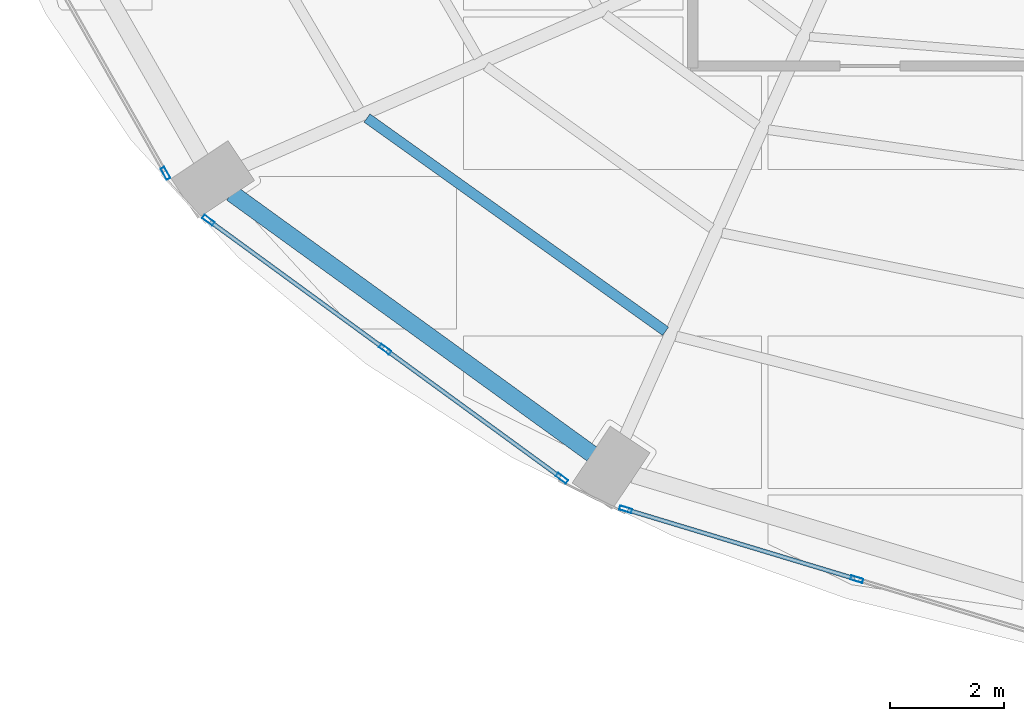
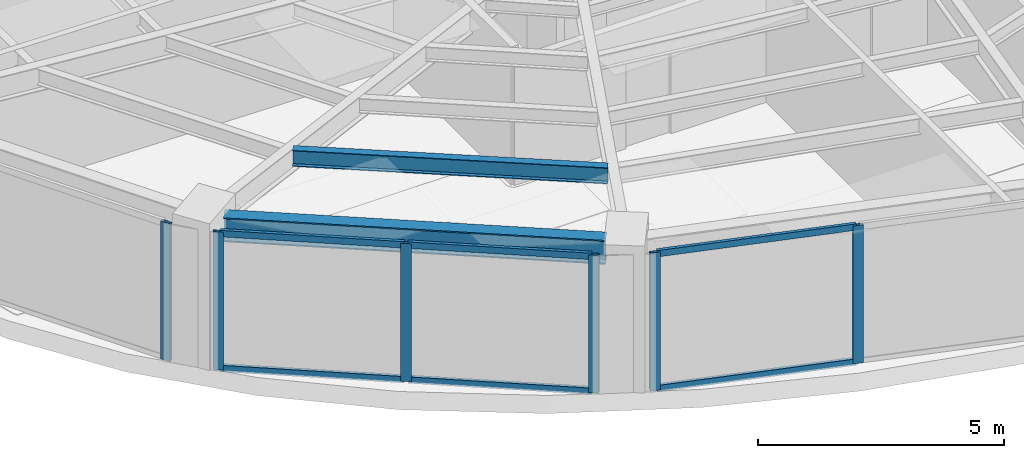
# One storey, part 2 of 23: 12 members, 2 beams, 3 elements without a shape of their own.
"""IFC4 building model written with IfcOpenShell, lengths in metres."""

from ifc_helpers import new_model, si_unit, direction, frame, origin, origin_2d, place, context, subcontext, project, spatial, hollow_rectangle, i_section, extrude, material, layer, layer_set, material_profile, profile_set, type_object, element, aggregate, save


model = new_model("IFC4")

# Units and contexts
model_context = context("Model", 3, precision=1e-05, world=origin(), true_north=direction((0.0, 1.0)))
body_context = subcontext(model_context, "Body", "Model", "MODEL_VIEW")
ifc_project = project(units=[si_unit("LENGTHUNIT", "METRE"), si_unit("AREAUNIT", "SQUARE_METRE"), si_unit("VOLUMEUNIT", "CUBIC_METRE"), si_unit("PLANEANGLEUNIT", "RADIAN"), si_unit("MASSUNIT", "GRAM", prefix="KILO")], contexts=[model_context])

# Site, building, storey
site_placement = place(None, origin())
site = spatial("IfcSite", under=ifc_project, at=site_placement, CompositionType="ELEMENT")
building_placement = place(site_placement, origin())
building = spatial("IfcBuilding", under=site, at=building_placement, Name="Lazwardi Medical Tower", CompositionType="ELEMENT")
storey_placement = place(building_placement, frame((0.0, 0.0, 81.743896484375)))
storey = spatial("IfcBuildingStorey", under=building, at=storey_placement, Name="L20", CompositionType="ELEMENT", Elevation=81.743896484375)

# Beams
ifc_material_1 = material(Name="Steel S355", Category="steel")
ifc_material_profile_1 = material_profile(ifc_material_1, i_section(OverallWidth=0.300048828125, OverallDepth=0.60009765625, WebThickness=0.015380859375, FlangeThickness=0.030029296875, at=origin_2d()), Name="HEB 600")
ifc_profile_set_1 = profile_set([ifc_material_profile_1], Name="Steel S355")
beam_type_1 = type_object("IfcBeamType", Name="BM-RB-Z2", PredefinedType="BEAM", material=ifc_profile_set_1)
beam_1_placement = place(storey_placement, frame((15.25439453125, 15.164794921875, 3.128173828125), z_axis=(0.81005674773, -0.586351486275, 0.0), x_axis=(0.586351486275, 0.81005674773, 0.0)))
element("IfcBeam", 1, at=beam_1_placement, inside=storey, type_object=beam_type_1, Name="Ring beam RB-03 B14 L20", PredefinedType="BEAM", context=body_context, shape_type="SweptSolid", body=[
    extrude(i_section(OverallWidth=0.300048828125, OverallDepth=0.60009765625, WebThickness=0.015380859375, FlangeThickness=0.030029296875, at=origin_2d()), origin(), (0.0, 0.0, 1.0), 7.81396484375),
])
ifc_material_profile_2 = material_profile(ifc_material_1, i_section(OverallWidth=0.179931640625, OverallDepth=0.39990234375, WebThickness=0.008544921875, FlangeThickness=0.013427734375, at=origin_2d()), Name="IPE 400")
ifc_profile_set_2 = profile_set([ifc_material_profile_2], Name="Steel S355")
beam_type_2 = type_object("IfcBeamType", Name="BM-SJ-01", PredefinedType="JOIST", material=ifc_profile_set_2)
beam_2_placement = place(storey_placement, frame((17.630615234375, 16.485595703125, 3.22802734375), z_axis=(0.813748834317, -0.581216684763, 0.0), x_axis=(0.581216684763, 0.813748834317, 0.0)))
element("IfcBeam", 2, at=beam_2_placement, inside=storey, type_object=beam_type_2, Name="Secondary joist SJ-01 R1 B14 L20", PredefinedType="JOIST", context=body_context, shape_type="SweptSolid", body=[
    extrude(i_section(OverallWidth=0.179931640625, OverallDepth=0.39990234375, WebThickness=0.008544921875, FlangeThickness=0.013427734375, at=origin_2d()), origin(), (0.0, 0.0, 1.0), 6.4423828125),
])

# Curtain wall, member
ifc_material_2 = material(Name="Anodised bronze aluminium and solar control glazing", Category="aluminium")
ifc_layer = layer(ifc_material_2, 0.195068359375)
ifc_layer_set = layer_set([ifc_layer], Name="Anodised bronze aluminium and solar control glazing")
curtain_wall_type = type_object("IfcCurtainWallType", Name="CW-SYS-03", PredefinedType="NOTDEFINED", material=ifc_layer_set)
curtain_wall_1_placement = place(storey_placement, origin())
curtain_wall_1 = element("IfcCurtainWall", 3, at=curtain_wall_1_placement, inside=storey, type_object=curtain_wall_type, Name="L20 Unitised bronze curtain wall CW-03", PredefinedType="NOTDEFINED")
ifc_material_3 = material(Name="Anodised bronze aluminium", Category="aluminium")
ifc_material_profile_3 = material_profile(ifc_material_3, hollow_rectangle(XDim=0.074951171875, YDim=0.219970703125, WallThickness=0.00390625, at=origin_2d()), Name="ALU-MULLION 220x75x4")
ifc_profile_set_3 = profile_set([ifc_material_profile_3], Name="Anodised bronze aluminium")
member_type_1 = type_object("IfcMemberType", Name="CW-MUL-01", PredefinedType="MULLION", material=ifc_profile_set_3)
member_1_placement = place(storey_placement, frame((14.0927734375, 15.51416015625, 0.0), z_axis=(0.0, 0.0, 1.0), x_axis=(0.869687265712, 0.493603140041, 0.0)))
member_1 = element("IfcMember", 4, at=member_1_placement, type_object=member_type_1, Name="CW-03 mullion 2", PredefinedType="MULLION", context=body_context, shape_type="SweptSolid", body=[
    extrude(hollow_rectangle(XDim=0.074951171875, YDim=0.219970703125, WallThickness=0.00390625, at=origin_2d()), origin(), (0.0, 0.0, 1.0), 3.42822265625),
])
aggregate(curtain_wall_1, [member_1])

# Curtain wall, members
curtain_wall_2_placement = place(storey_placement, origin())
curtain_wall_2 = element("IfcCurtainWall", 5, at=curtain_wall_2_placement, inside=storey, type_object=curtain_wall_type, Name="L20 Unitised bronze curtain wall CW-03", PredefinedType="NOTDEFINED")
member_2_placement = place(storey_placement, frame((14.844970703125, 14.691162109375, 0.0), z_axis=(0.0, 0.0, 1.0), x_axis=(0.589530882802, 0.807745837639, 0.0)))
member_2 = element("IfcMember", 6, at=member_2_placement, type_object=member_type_1, Name="CW-03 mullion 1", PredefinedType="MULLION", context=body_context, shape_type="SweptSolid", body=[
    extrude(hollow_rectangle(XDim=0.074951171875, YDim=0.219970703125, WallThickness=0.00390625, at=origin_2d()), origin(), (0.0, 0.0, 1.0), 3.42822265625),
])
member_3_placement = place(storey_placement, frame((17.948974609375, 12.42578125, 0.0), z_axis=(0.0, 0.0, 1.0), x_axis=(0.589530882802, 0.807745837639, 0.0)))
member_3 = element("IfcMember", 7, at=member_3_placement, type_object=member_type_1, Name="CW-03 mullion 2", PredefinedType="MULLION", context=body_context, shape_type="SweptSolid", body=[
    extrude(hollow_rectangle(XDim=0.074951171875, YDim=0.219970703125, WallThickness=0.00390625, at=origin_2d()), origin(), (0.0, 0.0, 1.0), 3.42822265625),
])
member_4_placement = place(storey_placement, frame((21.052734375, 10.160400390625, 0.0), z_axis=(0.0, 0.0, 1.0), x_axis=(0.589530882802, 0.807745837639, 0.0)))
member_4 = element("IfcMember", 8, at=member_4_placement, type_object=member_type_1, Name="CW-03 mullion 3", PredefinedType="MULLION", context=body_context, shape_type="SweptSolid", body=[
    extrude(hollow_rectangle(XDim=0.074951171875, YDim=0.219970703125, WallThickness=0.00390625, at=origin_2d()), origin(), (0.0, 0.0, 1.0), 3.42822265625),
])

curtain_wall_3_placement = place(storey_placement, origin())
curtain_wall_3 = element("IfcCurtainWall", 9, at=curtain_wall_3_placement, inside=storey, type_object=curtain_wall_type, Name="L20 Unitised bronze curtain wall CW-03", PredefinedType="NOTDEFINED")
member_5_placement = place(storey_placement, frame((22.171630859375, 9.614013671875, 0.0), z_axis=(0.0, 0.0, 1.0), x_axis=(0.28937381157, 0.957216170558, 0.0)))
member_5 = element("IfcMember", 10, at=member_5_placement, type_object=member_type_1, Name="CW-03 mullion 1", PredefinedType="MULLION", context=body_context, shape_type="SweptSolid", body=[
    extrude(hollow_rectangle(XDim=0.074951171875, YDim=0.219970703125, WallThickness=0.00390625, at=origin_2d()), origin(), (0.0, 0.0, 1.0), 3.42822265625),
])
member_6_placement = place(storey_placement, frame((26.230712890625, 8.386962890625, 0.0), z_axis=(0.0, 0.0, 1.0), x_axis=(0.28937381157, 0.957216170558, 0.0)))
member_6 = element("IfcMember", 11, at=member_6_placement, type_object=member_type_1, Name="CW-03 mullion 2", PredefinedType="MULLION", context=body_context, shape_type="SweptSolid", body=[
    extrude(hollow_rectangle(XDim=0.074951171875, YDim=0.219970703125, WallThickness=0.00390625, at=origin_2d()), origin(), (0.0, 0.0, 1.0), 3.42822265625),
])

# Member
ifc_material_profile_4 = material_profile(ifc_material_3, hollow_rectangle(XDim=0.074951171875, YDim=0.159912109375, WallThickness=0.00390625, at=origin_2d()), Name="ALU-TRANSOM 160x75x4")
ifc_profile_set_4 = profile_set([ifc_material_profile_4], Name="Anodised bronze aluminium")
member_type_2 = type_object("IfcMemberType", Name="CW-TRN-01", PredefinedType="USERDEFINED", material=ifc_profile_set_4)
member_7_placement = place(storey_placement, frame((14.87548828125, 14.6689453125, 0.03759765625), z_axis=(0.807731734271, -0.589550206049, 0.0), x_axis=(0.589550206049, 0.807731734271, 0.0)))
member_7 = element("IfcMember", 12, at=member_7_placement, type_object=member_type_2, Name="CW-03 transom 1.1", ObjectType="TRANSOM", PredefinedType="USERDEFINED", context=body_context, shape_type="SweptSolid", body=[
    extrude(hollow_rectangle(XDim=0.074951171875, YDim=0.159912109375, WallThickness=0.00390625, at=origin_2d()), origin(), (0.0, 0.0, 1.0), 3.767578125),
])

member_8_placement = place(storey_placement, frame((14.87548828125, 14.6689453125, 3.390625), z_axis=(0.807731734271, -0.589550206049, 0.0), x_axis=(0.589550206049, 0.807731734271, 0.0)))
member_8 = element("IfcMember", 13, at=member_8_placement, type_object=member_type_2, Name="CW-03 transom 1.2", ObjectType="TRANSOM", PredefinedType="USERDEFINED", context=body_context, shape_type="SweptSolid", body=[
    extrude(hollow_rectangle(XDim=0.074951171875, YDim=0.159912109375, WallThickness=0.00390625, at=origin_2d()), origin(), (0.0, 0.0, 1.0), 3.767578125),
])

member_9_placement = place(storey_placement, frame((17.979248046875, 12.403564453125, 0.03759765625), z_axis=(0.80776259199, -0.58950792614, 0.0), x_axis=(0.58950792614, 0.80776259199, 0.0)))
member_9 = element("IfcMember", 14, at=member_9_placement, type_object=member_type_2, Name="CW-03 transom 2.1", ObjectType="TRANSOM", PredefinedType="USERDEFINED", context=body_context, shape_type="SweptSolid", body=[
    extrude(hollow_rectangle(XDim=0.074951171875, YDim=0.159912109375, WallThickness=0.00390625, at=origin_2d()), origin(), (0.0, 0.0, 1.0), 3.767578125),
])

member_10_placement = place(storey_placement, frame((17.979248046875, 12.403564453125, 3.390625), z_axis=(0.80776259199, -0.58950792614, 0.0), x_axis=(0.58950792614, 0.80776259199, 0.0)))
member_10 = element("IfcMember", 15, at=member_10_placement, type_object=member_type_2, Name="CW-03 transom 2.2", ObjectType="TRANSOM", PredefinedType="USERDEFINED", context=body_context, shape_type="SweptSolid", body=[
    extrude(hollow_rectangle(XDim=0.074951171875, YDim=0.159912109375, WallThickness=0.00390625, at=origin_2d()), origin(), (0.0, 0.0, 1.0), 3.767578125),
])

aggregate(curtain_wall_2, [member_2, member_3, member_4, member_7, member_8, member_9, member_10])

member_11_placement = place(storey_placement, frame((22.20751953125, 9.603271484375, 0.03759765625), z_axis=(0.957204630929, -0.289411980623, 0.0), x_axis=(0.289411980623, 0.957204630929, 0.0)))
member_11 = element("IfcMember", 16, at=member_11_placement, type_object=member_type_2, Name="CW-03 transom 1.1", ObjectType="TRANSOM", PredefinedType="USERDEFINED", context=body_context, shape_type="SweptSolid", body=[
    extrude(hollow_rectangle(XDim=0.074951171875, YDim=0.159912109375, WallThickness=0.00390625, at=origin_2d()), origin(), (0.0, 0.0, 1.0), 4.16552734375),
])

member_12_placement = place(storey_placement, frame((22.20751953125, 9.603271484375, 3.390625), z_axis=(0.957204630929, -0.289411980623, 0.0), x_axis=(0.289411980623, 0.957204630929, 0.0)))
member_12 = element("IfcMember", 17, at=member_12_placement, type_object=member_type_2, Name="CW-03 transom 1.2", ObjectType="TRANSOM", PredefinedType="USERDEFINED", context=body_context, shape_type="SweptSolid", body=[
    extrude(hollow_rectangle(XDim=0.074951171875, YDim=0.159912109375, WallThickness=0.00390625, at=origin_2d()), origin(), (0.0, 0.0, 1.0), 4.16552734375),
])

aggregate(curtain_wall_3, [member_5, member_6, member_11, member_12])

save(model, "model.ifc")
